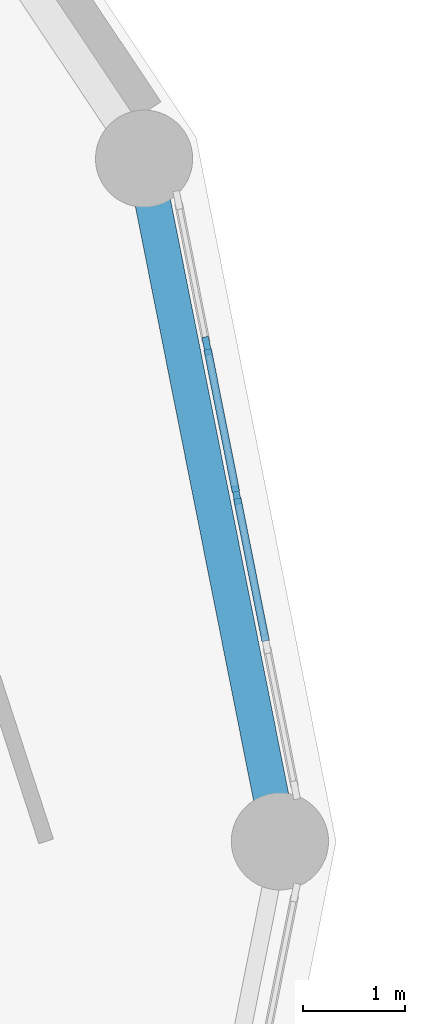
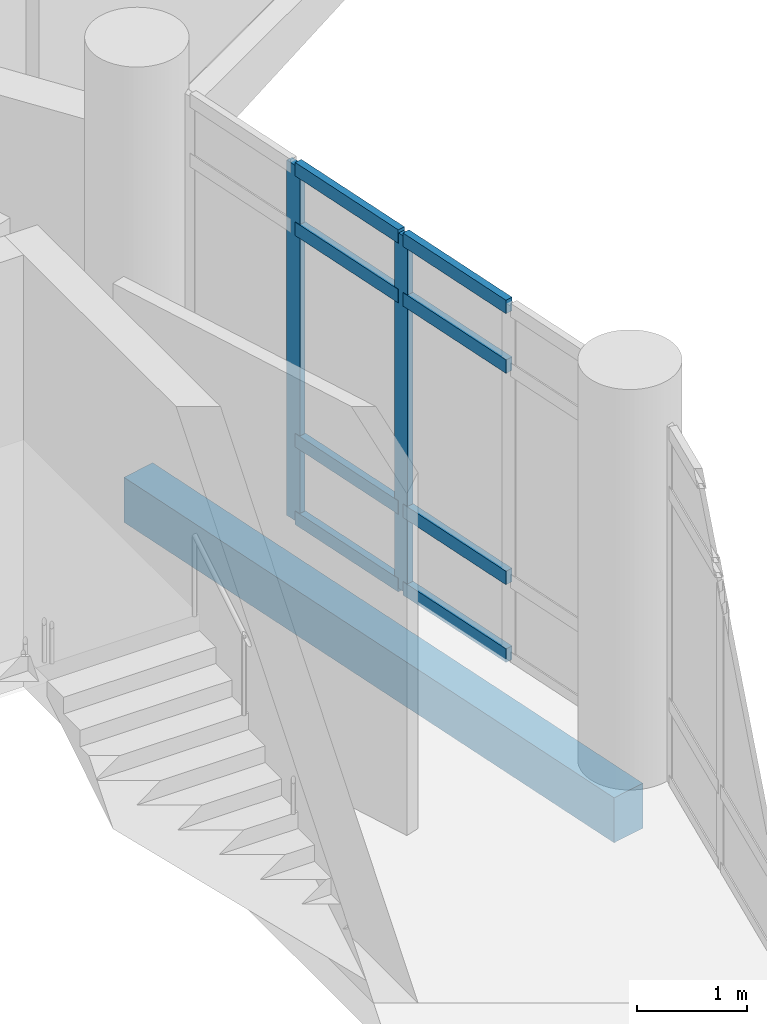
# One storey, part 23 of 89: 10 members, 1 beam, 1 element without a shape of its own.
"""IFC4 building model written with IfcOpenShell, lengths in metres."""

from ifc_helpers import new_model, si_unit, direction, frame, origin, origin_2d, place, context, subcontext, project, spatial, rectangle, extrude, material, material_profile, profile_set, type_object, element, aggregate, save


model = new_model("IFC4")

# Units and contexts
model_context = context("Model", 3, precision=1e-05, world=origin(), true_north=direction((0.0, 1.0)))
body_context = subcontext(model_context, "Body", "Model", "MODEL_VIEW")
ifc_project = project(units=[si_unit("LENGTHUNIT", "METRE"), si_unit("AREAUNIT", "SQUARE_METRE"), si_unit("VOLUMEUNIT", "CUBIC_METRE"), si_unit("PLANEANGLEUNIT", "RADIAN"), si_unit("MASSUNIT", "GRAM", prefix="KILO")], contexts=[model_context])

# Site, building, storey
site_placement = place(None, origin())
site = spatial("IfcSite", under=ifc_project, at=site_placement, CompositionType="ELEMENT")
building_placement = place(site_placement, origin())
building = spatial("IfcBuilding", under=site, at=building_placement, Name="Soyqirgoq Riverine Aquarium", CompositionType="ELEMENT")
storey_placement = place(building_placement, frame((0.0, 0.0, 5.39990234375)))
storey = spatial("IfcBuildingStorey", under=building, at=storey_placement, Name="L02", CompositionType="ELEMENT", Elevation=5.39990234375)

# Curtain wall, members
ifc_material_1 = material(Name="Anodised aluminium thermally broken triple low-E glazing", Category="aluminium")
curtain_wall_type = type_object("IfcCurtainWallType", Name="CW_DrumGallery_Unitised", PredefinedType="NOTDEFINED", material=ifc_material_1)
curtain_wall_placement = place(storey_placement, origin())
curtain_wall = element("IfcCurtainWall", 1, at=curtain_wall_placement, inside=storey, type_object=curtain_wall_type, Name="V1 L02 Curtain Wall 002", PredefinedType="NOTDEFINED")
ifc_material_2 = material(Name="Anodised aluminium 6063-T6", Category="aluminium")
ifc_material_profile_1 = material_profile(ifc_material_2, rectangle(XDim=0.06494140625, YDim=0.179931640625, at=origin_2d()), Name="ALU-M 65x180")
ifc_profile_set_1 = profile_set([ifc_material_profile_1], Name="Anodised aluminium 6063-T6")
member_type_1 = type_object("IfcMemberType", Name="CWMullion_65x180", PredefinedType="MULLION", material=ifc_profile_set_1)
member_1_placement = place(storey_placement, frame((73.0263671875, 60.38671875, 0.0), z_axis=(0.0, 0.0, 1.0), x_axis=(-0.980785709335, -0.195088165618, 0.0)))
member_1 = element("IfcMember", 2, at=member_1_placement, type_object=member_type_1, Name="CW-01 mullion 3", PredefinedType="MULLION", context=body_context, shape_type="SweptSolid", body=[
    extrude(rectangle(XDim=0.06494140625, YDim=0.179931640625, at=origin_2d()), origin(), (0.0, 0.0, 1.0), 3.9501953125),
])
member_2_placement = place(storey_placement, frame((72.736083984375, 61.845458984375, 0.0), z_axis=(0.0, 0.0, 1.0), x_axis=(-0.980785709335, -0.195088165618, 0.0)))
member_2 = element("IfcMember", 3, at=member_2_placement, type_object=member_type_1, Name="CW-01 mullion 4", PredefinedType="MULLION", context=body_context, shape_type="SweptSolid", body=[
    extrude(rectangle(XDim=0.06494140625, YDim=0.179931640625, at=origin_2d()), origin(), (0.0, 0.0, 1.0), 3.9501953125),
])
ifc_material_3 = material(Name="Anodised aluminium 6063-T6", Category="aluminium")
ifc_material_profile_2 = material_profile(ifc_material_3, rectangle(XDim=0.074951171875, YDim=0.14990234375, at=origin_2d()), Name="ALU-T 75x150")
ifc_profile_set_2 = profile_set([ifc_material_profile_2], Name="Anodised aluminium 6063-T6")
member_type_2 = type_object("IfcMemberType", Name="CWTransom_75x150", PredefinedType="USERDEFINED", material=ifc_profile_set_2)
member_3_placement = place(storey_placement, frame((73.310302734375, 58.959716796875, 0.03759765625), z_axis=(-0.195125950178, 0.980778192848, 0.0), x_axis=(-0.980778192848, -0.195125950178, 0.0)))
member_3 = element("IfcMember", 4, at=member_3_placement, type_object=member_type_2, Name="CW-01 transom 2.1", ObjectType="TRANSOM", PredefinedType="USERDEFINED", context=body_context, shape_type="SweptSolid", body=[
    extrude(rectangle(XDim=0.074951171875, YDim=0.14990234375, at=origin_2d()), origin(), (0.0, 0.0, 1.0), 1.422607421875),
])
member_4_placement = place(storey_placement, frame((73.310302734375, 58.959716796875, 0.900146484375), z_axis=(-0.195125950178, 0.980778192848, 0.0), x_axis=(-0.980778192848, -0.195125950178, 0.0)))
member_4 = element("IfcMember", 5, at=member_4_placement, type_object=member_type_2, Name="CW-01 transom 2.2", ObjectType="TRANSOM", PredefinedType="USERDEFINED", context=body_context, shape_type="SweptSolid", body=[
    extrude(rectangle(XDim=0.074951171875, YDim=0.14990234375, at=origin_2d()), origin(), (0.0, 0.0, 1.0), 1.422607421875),
])
member_5_placement = place(storey_placement, frame((73.310302734375, 58.959716796875, 3.25), z_axis=(-0.195125950178, 0.980778192848, 0.0), x_axis=(-0.980778192848, -0.195125950178, 0.0)))
member_5 = element("IfcMember", 6, at=member_5_placement, type_object=member_type_2, Name="CW-01 transom 2.3", ObjectType="TRANSOM", PredefinedType="USERDEFINED", context=body_context, shape_type="SweptSolid", body=[
    extrude(rectangle(XDim=0.074951171875, YDim=0.14990234375, at=origin_2d()), origin(), (0.0, 0.0, 1.0), 1.422607421875),
])
member_6_placement = place(storey_placement, frame((73.310302734375, 58.959716796875, 3.91259765625), z_axis=(-0.195125950178, 0.980778192848, 0.0), x_axis=(-0.980778192848, -0.195125950178, 0.0)))
member_6 = element("IfcMember", 7, at=member_6_placement, type_object=member_type_2, Name="CW-01 transom 2.4", ObjectType="TRANSOM", PredefinedType="USERDEFINED", context=body_context, shape_type="SweptSolid", body=[
    extrude(rectangle(XDim=0.074951171875, YDim=0.14990234375, at=origin_2d()), origin(), (0.0, 0.0, 1.0), 1.422607421875),
])
member_7_placement = place(storey_placement, frame((73.02001953125, 60.418701171875, 0.03759765625), z_axis=(-0.195158798415, 0.980771657116, 0.0), x_axis=(-0.980771657116, -0.195158798415, 0.0)))
member_7 = element("IfcMember", 8, at=member_7_placement, type_object=member_type_2, Name="CW-01 transom 3.1", ObjectType="TRANSOM", PredefinedType="USERDEFINED", context=body_context, shape_type="SweptSolid", body=[
    extrude(rectangle(XDim=0.074951171875, YDim=0.14990234375, at=origin_2d()), origin(), (0.0, 0.0, 1.0), 1.42236328125),
])
member_8_placement = place(storey_placement, frame((73.02001953125, 60.418701171875, 0.900146484375), z_axis=(-0.195158798415, 0.980771657116, 0.0), x_axis=(-0.980771657116, -0.195158798415, 0.0)))
member_8 = element("IfcMember", 9, at=member_8_placement, type_object=member_type_2, Name="CW-01 transom 3.2", ObjectType="TRANSOM", PredefinedType="USERDEFINED", context=body_context, shape_type="SweptSolid", body=[
    extrude(rectangle(XDim=0.074951171875, YDim=0.14990234375, at=origin_2d()), origin(), (0.0, 0.0, 1.0), 1.42236328125),
])
member_9_placement = place(storey_placement, frame((73.02001953125, 60.418701171875, 3.25), z_axis=(-0.195158798415, 0.980771657116, 0.0), x_axis=(-0.980771657116, -0.195158798415, 0.0)))
member_9 = element("IfcMember", 10, at=member_9_placement, type_object=member_type_2, Name="CW-01 transom 3.3", ObjectType="TRANSOM", PredefinedType="USERDEFINED", context=body_context, shape_type="SweptSolid", body=[
    extrude(rectangle(XDim=0.074951171875, YDim=0.14990234375, at=origin_2d()), origin(), (0.0, 0.0, 1.0), 1.42236328125),
])
member_10_placement = place(storey_placement, frame((73.02001953125, 60.418701171875, 3.91259765625), z_axis=(-0.195158798415, 0.980771657116, 0.0), x_axis=(-0.980771657116, -0.195158798415, 0.0)))
member_10 = element("IfcMember", 11, at=member_10_placement, type_object=member_type_2, Name="CW-01 transom 3.4", ObjectType="TRANSOM", PredefinedType="USERDEFINED", context=body_context, shape_type="SweptSolid", body=[
    extrude(rectangle(XDim=0.074951171875, YDim=0.14990234375, at=origin_2d()), origin(), (0.0, 0.0, 1.0), 1.42236328125),
])
aggregate(curtain_wall, [member_1, member_2, member_3, member_4, member_5, member_6, member_7, member_8, member_9, member_10])

# Beam
ifc_material_4 = material(Name="Concrete C40/50", Category="concrete")
ifc_material_profile_3 = material_profile(ifc_material_4, rectangle(XDim=0.35009765625, YDim=0.5, at=origin_2d()), Name="RC 350x500")
ifc_profile_set_3 = profile_set([ifc_material_profile_3], Name="Concrete C40/50")
beam_type = type_object("IfcBeamType", Name="Spandrel_RC_350x500", PredefinedType="SPANDREL", material=ifc_profile_set_3)
beam_placement = place(storey_placement, frame((73.446044921875, 57.01953125, -0.599853515625), z_axis=(-0.195096390568, 0.980784073274, 0.0), x_axis=(-0.980784073274, -0.195096390568, 0.0)))
element("IfcBeam", 12, at=beam_placement, inside=storey, type_object=beam_type, Name="V1 L02 Drum Spandrel Beam 0033", PredefinedType="SPANDREL", context=body_context, shape_type="SweptSolid", body=[
    extrude(rectangle(XDim=0.35009765625, YDim=0.5, at=origin_2d()), origin(), (0.0, 0.0, 1.0), 6.768798828125),
])

save(model, "model.ifc")
